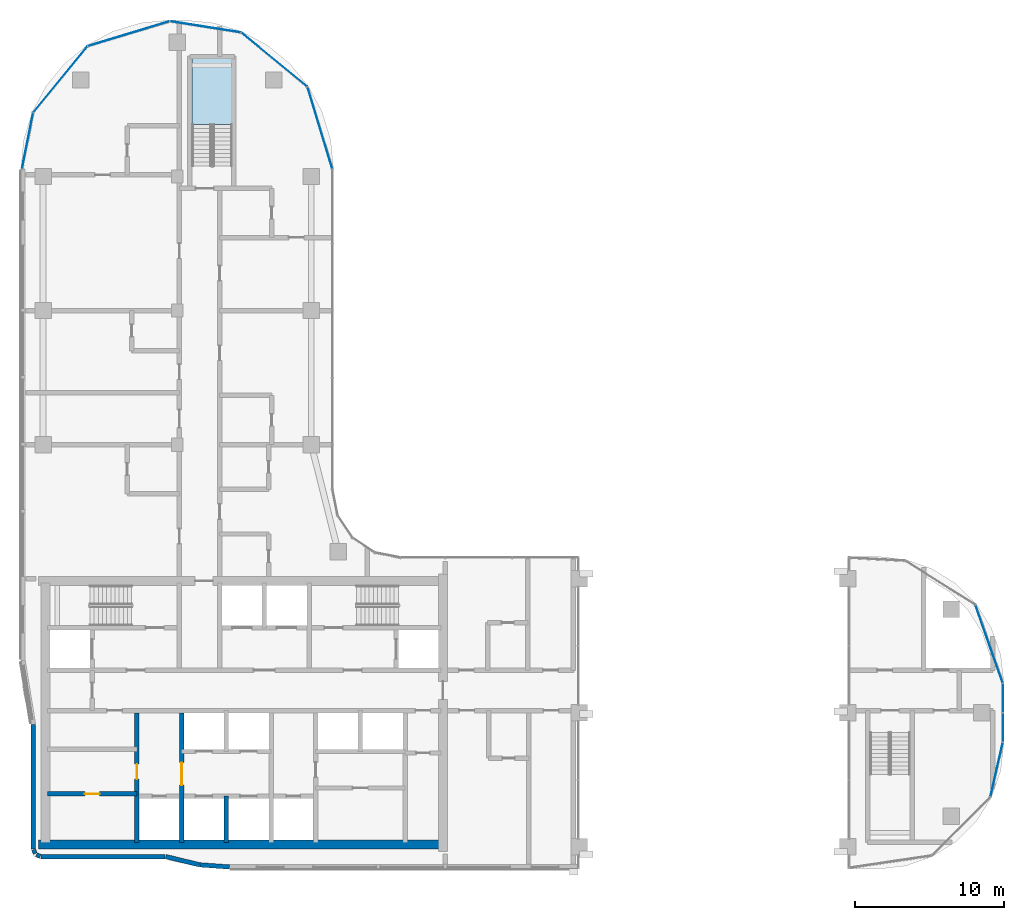
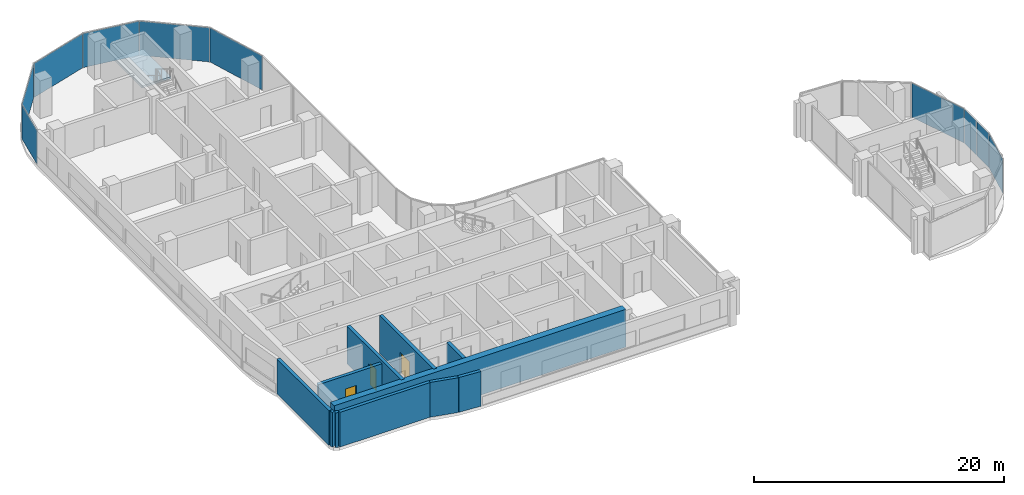
# One storey, part 9 of 23: 11 walls, 10 plates, 3 doors, 1 slab, 3 openings, 5 elements without a shape of their own.
"""IFC4 building model written with IfcOpenShell, lengths in metres."""

from ifc_helpers import new_model, si_unit, direction, frame, frame_2d, origin, origin_2d, place, context, subcontext, project, spatial, polyline, rectangle, outline, extrude, material, layer, layer_set, type_object, element, fill, aggregate, save


model = new_model("IFC4")

# Units and contexts
model_context = context("Model", 3, precision=1e-05, world=origin(), true_north=direction((0.0, 1.0)))
body_context = subcontext(model_context, "Body", "Model", "MODEL_VIEW")
ifc_project = project(units=[si_unit("LENGTHUNIT", "METRE"), si_unit("AREAUNIT", "SQUARE_METRE"), si_unit("VOLUMEUNIT", "CUBIC_METRE"), si_unit("PLANEANGLEUNIT", "RADIAN"), si_unit("MASSUNIT", "GRAM", prefix="KILO")], contexts=[model_context])

# Site, building, storey
site_placement = place(None, origin())
site = spatial("IfcSite", under=ifc_project, at=site_placement, CompositionType="ELEMENT")
building_placement = place(site_placement, origin())
building = spatial("IfcBuilding", under=site, at=building_placement, Name="Ogive Portal Towers", CompositionType="ELEMENT")
storey_placement = place(building_placement, frame((0.0, 0.0, 149.60009765625)))
storey = spatial("IfcBuildingStorey", under=building, at=storey_placement, Name="L36", CompositionType="ELEMENT", Elevation=149.60009765625)

# Curtain wall, plates
ifc_material_1 = material(Name="Glass, clear low-iron insulated glazing", Category="glass")
curtain_wall_type = type_object("IfcCurtainWallType", Name="CW FRONT RIBBON 4500", PredefinedType="NOTDEFINED", material=ifc_material_1)
curtain_wall_1_placement = place(storey_placement, origin())
curtain_wall_1 = element("IfcCurtainWall", 1, at=curtain_wall_1_placement, inside=storey, type_object=curtain_wall_type, Name="A:L36:f26:cw0", PredefinedType="NOTDEFINED")
ifc_layer_1 = layer(ifc_material_1, 0.028076171875)
ifc_layer_set_1 = layer_set([ifc_layer_1], Name="CW PANEL IGU 28")
plate_type = type_object("IfcPlateType", Name="CW PANEL IGU 28", PredefinedType="CURTAIN_PANEL", material=ifc_layer_set_1)
plate_1_placement = place(storey_placement, frame((95.919921875, 29.50439453125, 0.0), z_axis=(0.0, 0.0, 1.0), x_axis=(0.0, 1.0, 0.0)))
plate_1 = element("IfcPlate", 2, at=plate_1_placement, type_object=plate_type, Name="panel", PredefinedType="CURTAIN_PANEL", context=body_context, shape_type="SweptSolid", body=[
    extrude(rectangle(XDim=1.930908203125, YDim=0.028076171875, at=origin_2d()), origin(), (0.0, 0.0, 1.0), 3.340087890625),
])
plate_2_placement = place(storey_placement, frame((95.919921875, 31.4931640625, 0.0), z_axis=(0.0, 0.0, 1.0), x_axis=(0.0, 1.0, 0.0)))
plate_2 = element("IfcPlate", 3, at=plate_2_placement, type_object=plate_type, Name="panel", PredefinedType="CURTAIN_PANEL", context=body_context, shape_type="SweptSolid", body=[
    extrude(rectangle(XDim=1.926513671875, YDim=0.028076171875, at=origin_2d()), origin(), (0.0, 0.0, 1.0), 3.340087890625),
])
aggregate(curtain_wall_1, [plate_1, plate_2])

curtain_wall_2_placement = place(storey_placement, origin())
curtain_wall_2 = element("IfcCurtainWall", 4, at=curtain_wall_2_placement, inside=storey, type_object=curtain_wall_type, Name="A:L36:f14:cwa", PredefinedType="NOTDEFINED")
plate_3_placement = place(storey_placement, frame((50.08251953125, 69.748779296875, 0.0), z_axis=(0.0, 0.0, 1.0), x_axis=(-0.290284677254, 0.956940335732, 0.0)))
plate_3 = element("IfcPlate", 5, at=plate_3_placement, type_object=plate_type, Name="panel", PredefinedType="CURTAIN_PANEL", context=body_context, shape_type="SweptSolid", body=[
    extrude(rectangle(XDim=5.70947265625, YDim=0.028076171875, at=origin_2d()), origin(), (0.0, 0.0, 1.0), 3.340087890625),
])
plate_4_placement = place(storey_placement, frame((47.01904296875, 74.336181640625, 0.0), z_axis=(0.0, 0.0, 1.0), x_axis=(-0.773010453363, 0.634393284164, 0.0)))
plate_4 = element("IfcPlate", 6, at=plate_4_placement, type_object=plate_type, Name="panel", PredefinedType="CURTAIN_PANEL", context=body_context, shape_type="SweptSolid", body=[
    extrude(rectangle(XDim=5.69970703125, YDim=0.028076171875, at=origin_2d()), origin(), (0.0, 0.0, 1.0), 3.340087890625),
])
plate_5_placement = place(storey_placement, frame((42.399169921875, 76.54052734375, 0.0), z_axis=(0.0, 0.0, 1.0), x_axis=(-0.987792174992, 0.155777466355, 0.0)))
plate_5 = element("IfcPlate", 7, at=plate_5_placement, type_object=plate_type, Name="panel", PredefinedType="CURTAIN_PANEL", context=body_context, shape_type="SweptSolid", body=[
    extrude(rectangle(XDim=4.786376953125, YDim=0.028076171875, at=origin_2d()), origin(), (0.0, 0.0, 1.0), 3.340087890625),
])
plate_6_placement = place(storey_placement, frame((37.248291015625, 76.08154296875, 0.0), z_axis=(0.0, 0.0, 1.0), x_axis=(-0.956940335732, -0.290284677254, 0.0)))
plate_6 = element("IfcPlate", 8, at=plate_6_placement, type_object=plate_type, Name="panel", PredefinedType="CURTAIN_PANEL", context=body_context, shape_type="SweptSolid", body=[
    extrude(rectangle(XDim=5.703125, YDim=0.028076171875, at=origin_2d()), origin(), (0.0, 0.0, 1.0), 3.340087890625),
])
plate_7_placement = place(storey_placement, frame((32.663330078125, 73.018310546875, 0.0), z_axis=(0.0, 0.0, 1.0), x_axis=(-0.634393284164, -0.773010453363, 0.0)))
plate_7 = element("IfcPlate", 9, at=plate_7_placement, type_object=plate_type, Name="panel", PredefinedType="CURTAIN_PANEL", context=body_context, shape_type="SweptSolid", body=[
    extrude(rectangle(XDim=5.701416015625, YDim=0.028076171875, at=origin_2d()), origin(), (0.0, 0.0, 1.0), 3.340087890625),
])
plate_8_placement = place(storey_placement, frame((30.457763671875, 68.891845703125, 0.0), z_axis=(0.0, 0.0, 1.0), x_axis=(-0.195090322016, -0.980785280403, 0.0)))
plate_8 = element("IfcPlate", 10, at=plate_8_placement, type_object=plate_type, Name="panel", PredefinedType="CURTAIN_PANEL", context=body_context, shape_type="SweptSolid", body=[
    extrude(rectangle(XDim=3.81396484375, YDim=0.028076171875, at=origin_2d()), origin(), (0.0, 0.0, 1.0), 3.340087890625),
])
aggregate(curtain_wall_2, [plate_3, plate_4, plate_5, plate_6, plate_7, plate_8])

# Curtain wall, plate
curtain_wall_3_placement = place(storey_placement, origin())
curtain_wall_3 = element("IfcCurtainWall", 11, at=curtain_wall_3_placement, inside=storey, type_object=curtain_wall_type, Name="A:L36:f23:cwa", PredefinedType="NOTDEFINED")
plate_9_placement = place(storey_placement, frame((95.502685546875, 26.6806640625, 0.0), z_axis=(0.0, 0.0, 1.0), x_axis=(0.222520933954, 0.974927912182, 0.0)))
plate_9 = element("IfcPlate", 12, at=plate_9_placement, type_object=plate_type, Name="panel", PredefinedType="CURTAIN_PANEL", context=body_context, shape_type="SweptSolid", body=[
    extrude(rectangle(XDim=3.690673828125, YDim=0.028076171875, at=origin_2d()), origin(), (0.0, 0.0, 1.0), 3.340087890625),
])
aggregate(curtain_wall_3, [plate_9])

curtain_wall_4_placement = place(storey_placement, origin())
curtain_wall_4 = element("IfcCurtainWall", 13, at=curtain_wall_4_placement, inside=storey, type_object=curtain_wall_type, Name="A:L36:f27:cwa", PredefinedType="NOTDEFINED")
plate_10_placement = place(storey_placement, frame((94.999755859375, 35.11669921875, 0.0), z_axis=(0.0, 0.0, 1.0), x_axis=(-0.33027906196, 0.943883330307, 0.0)))
plate_10 = element("IfcPlate", 14, at=plate_10_placement, type_object=plate_type, Name="panel", PredefinedType="CURTAIN_PANEL", context=body_context, shape_type="SweptSolid", body=[
    extrude(rectangle(XDim=5.51318359375, YDim=0.028076171875, at=origin_2d()), origin(), (0.0, 0.0, 1.0), 3.340087890625),
])
aggregate(curtain_wall_4, [plate_10])

# Stair, slab
ifc_material_2 = material(Name="Concrete C40/50", Category="concrete")
stair_type = type_object("IfcStairType", Name="INT-STAIR", PredefinedType="HALF_TURN_STAIR", material=ifc_material_2)
stair_placement = place(storey_placement, origin())
stair = element("IfcStair", 15, at=stair_placement, inside=storey, type_object=stair_type, Name="L36 Exit Stair ST-A3", PredefinedType="HALF_TURN_STAIR")
ifc_layer_2 = layer(ifc_material_2, 0.199951171875)
ifc_layer_set_2 = layer_set([ifc_layer_2], Name="INT-LANDING")
slab_type = type_object("IfcSlabType", Name="INT-LANDING", PredefinedType="LANDING", material=ifc_layer_set_2)
slab_placement = place(storey_placement, frame((0.0, 0.0, 1.64990234375)))
slab = element("IfcSlab", 16, at=slab_placement, type_object=slab_type, Name="ST-A3 landing 1", PredefinedType="LANDING", context=body_context, shape_type="SweptSolid", body=[
    extrude(outline(polyline([(44.199951171875, 70.0), (44.199951171875, 74.449951171875), (41.5, 74.449951171875), (41.5, 70.0), (44.199951171875, 70.0)])), origin(), (0.0, 0.0, 1.0), 0.199951171875),
])
aggregate(stair, [slab])

# Wall, opening, door
ifc_material_3 = material(Name="Concrete C60/75", Category="concrete")
ifc_layer_3 = layer(ifc_material_3, 0.300048828125)
ifc_layer_set_3 = layer_set([ifc_layer_3], Name="CORE WALL 300 C60")
wall_type_1 = type_object("IfcWallType", Name="CORE WALL 300 C60", PredefinedType="SHEAR", material=ifc_layer_set_3)
wall_1_placement = place(storey_placement, frame((37.800048828125, 21.800048828125, 0.0), z_axis=(0.0, 0.0, 1.0), x_axis=(0.0, 1.0, 0.0)))
wall_1 = element("IfcWall", 17, at=wall_1_placement, inside=storey, type_object=wall_type_1, Name="Core wall X1 L36", PredefinedType="SHEAR", context=body_context, shape_type="SweptSolid", body=[
    extrude(rectangle(XDim=8.699951171875, YDim=0.300048828125, at=frame_2d((4.35009765625, 0.0))), origin(), (0.0, 0.0, 1.0), 3.699951171875),
])
opening_1_placement = place(wall_1_placement, frame((4.25, 0.0, 0.0)))
opening_1 = element("IfcOpeningElement", 18, at=opening_1_placement, cuts=wall_1, Name="Opening D14-022", PredefinedType="OPENING", context=body_context, shape_type="SweptSolid", body=[
    extrude(rectangle(XDim=1.0, YDim=2.10009765625, at=frame_2d((0.5, 1.050048828125))), frame((0.0, 0.16015625, 0.0), z_axis=(0.0, -1.0, 0.0), x_axis=(1.0, 0.0, 0.0)), (0.0, 0.0, 1.0), 0.320068359375),
])
ifc_material_4 = material(Name="Steel fire door", Category="steel")
door_type_1 = type_object("IfcDoorType", Name="DT-SWING-1000x2100-FD90S", OperationType="SINGLE_SWING_LEFT", PredefinedType="DOOR", material=ifc_material_4)
door_1_placement = place(opening_1_placement, origin())
door_1 = element("IfcDoor", 19, at=door_1_placement, inside=storey, type_object=door_type_1, Name="Door D14-022", OperationType="SINGLE_SWING_RIGHT", OverallHeight=2.10009765625, OverallWidth=1.0, PredefinedType="DOOR", context=body_context, shape_type="SweptSolid", body=[
    extrude(rectangle(XDim=1.0, YDim=2.10009765625, at=frame_2d((0.5, 1.050048828125))), frame((0.0, 0.02490234375, 0.0), z_axis=(0.0, -1.0, 0.0), x_axis=(1.0, 0.0, 0.0)), (0.0, 0.0, 1.0), 0.050048828125),
])
fill(opening_1, door_1)

wall_2_placement = place(storey_placement, frame((40.800048828125, 21.800048828125, 0.0), z_axis=(0.0, 0.0, 1.0), x_axis=(0.0, 1.0, 0.0)))
wall_2 = element("IfcWall", 20, at=wall_2_placement, inside=storey, type_object=wall_type_1, Name="Core wall X2 L36", PredefinedType="SHEAR", context=body_context, shape_type="SweptSolid", body=[
    extrude(rectangle(XDim=8.699951171875, YDim=0.300048828125, at=frame_2d((4.35009765625, 0.0))), origin(), (0.0, 0.0, 1.0), 3.699951171875),
])
opening_2_placement = place(wall_2_placement, frame((3.85009765625, 0.0, 0.0)))
opening_2 = element("IfcOpeningElement", 21, at=opening_2_placement, cuts=wall_2, Name="Opening D14-001", PredefinedType="OPENING", context=body_context, shape_type="SweptSolid", body=[
    extrude(rectangle(XDim=1.5, YDim=2.10009765625, at=frame_2d((0.75, 1.050048828125))), frame((0.0, 0.16015625, 0.0), z_axis=(0.0, -1.0, 0.0), x_axis=(1.0, 0.0, 0.0)), (0.0, 0.0, 1.0), 0.320068359375),
])
door_type_2 = type_object("IfcDoorType", Name="DT-SWING-1500x2100-FD90S", OperationType="SINGLE_SWING_LEFT", PredefinedType="DOOR", material=ifc_material_4)
door_2_placement = place(opening_2_placement, origin())
door_2 = element("IfcDoor", 22, at=door_2_placement, inside=storey, type_object=door_type_2, Name="Door D14-001", OperationType="SINGLE_SWING_RIGHT", OverallHeight=2.10009765625, OverallWidth=1.5, PredefinedType="DOOR", context=body_context, shape_type="SweptSolid", body=[
    extrude(rectangle(XDim=1.5, YDim=2.10009765625, at=frame_2d((0.75, 1.050048828125))), frame((0.0, 0.02490234375, 0.0), z_axis=(0.0, -1.0, 0.0), x_axis=(1.0, 0.0, 0.0)), (0.0, 0.0, 1.0), 0.050048828125),
])
fill(opening_2, door_2)

# Walls
ifc_layer_4 = layer(ifc_material_3, 0.60009765625)
ifc_layer_set_4 = layer_set([ifc_layer_4], Name="CORE WALL 600 C60")
wall_type_2 = type_object("IfcWallType", Name="CORE WALL 600 C60", PredefinedType="SHEAR", material=ifc_layer_set_4)
wall_3_placement = place(storey_placement, frame((31.199951171875, 21.64990234375, 0.0), z_axis=(0.0, 0.0, 1.0), x_axis=(1.0, 0.0, 0.0)))
element("IfcWall", 23, at=wall_3_placement, inside=storey, type_object=wall_type_2, Name="Core wall S L36", PredefinedType="SHEAR", context=body_context, shape_type="SweptSolid", body=[
    extrude(rectangle(XDim=27.0, YDim=0.60009765625, at=frame_2d((13.5, 0.0))), origin(), (0.0, 0.0, 1.0), 3.699951171875),
])
ifc_material_5 = material(Name="Limestone cladding on lightweight block wall", Category="masonry")
ifc_layer_5 = layer(ifc_material_5, 0.300048828125)
ifc_layer_set_5 = layer_set([ifc_layer_5], Name="EXTERNAL WALL 300 STONE")
wall_type_3 = type_object("IfcWallType", Name="EXTERNAL WALL 300 STONE", PredefinedType="SOLIDWALL", material=ifc_layer_set_5)
wall_4_placement = place(storey_placement, frame((30.85009765625, 29.699462890625, 0.0), z_axis=(0.0, 0.0, 1.0), x_axis=(0.0, -1.0, 0.0)))
element("IfcWall", 24, at=wall_4_placement, inside=storey, type_object=wall_type_3, Name="A:L36:f00:r0:wall", PredefinedType="SOLIDWALL", context=body_context, shape_type="SweptSolid", body=[
    extrude(rectangle(XDim=8.33984375, YDim=0.300048828125, at=frame_2d((4.169921875, 0.0))), origin(), (0.0, 0.0, 1.0), 3.39990234375),
])
for number, where, z_axis, x_axis, name in (
    (25, (30.861328125, 21.30224609375, 0.0), (0.0, 0.0, 1.0), (0.38297812142, -0.923757413239, 0.0), "A:L36:f01:r0:wall"),
    (26, (31.0478515625, 20.966796875, 0.0), (0.0, 0.0, 1.0), (0.923757413239, -0.38297812142, 0.0), "A:L36:f02:r0:wall"),
):
    element("IfcWall", number, at=place(storey_placement, frame(where, z_axis=z_axis, x_axis=x_axis)), inside=storey, type_object=wall_type_3, Name=name, PredefinedType="SOLIDWALL", context=body_context, shape_type="SweptSolid", body=[
        extrude(rectangle(XDim=0.275390625, YDim=0.300048828125, at=frame_2d((0.1376953125, 0.0))), origin(), (0.0, 0.0, 1.0), 3.39990234375),
    ])
wall_5_placement = place(storey_placement, frame((31.359619140625, 20.85009765625, 0.0), z_axis=(0.0, 0.0, 1.0), x_axis=(1.0, 0.0, 0.0)))
element("IfcWall", 27, at=wall_5_placement, inside=storey, type_object=wall_type_3, Name="A:L36:f03:r0:wall", PredefinedType="SOLIDWALL", context=body_context, shape_type="SweptSolid", body=[
    extrude(rectangle(XDim=8.33984375, YDim=0.300048828125, at=frame_2d((4.169921875, 0.0))), origin(), (0.0, 0.0, 1.0), 3.39990234375),
])
wall_6_placement = place(storey_placement, frame((39.734619140625, 20.845703125, 0.0), z_axis=(0.0, 0.0, 1.0), x_axis=(0.97206095595, -0.234728562212, 0.0)))
element("IfcWall", 28, at=wall_6_placement, inside=storey, type_object=wall_type_3, Name="A:L36:f04:r0:wall", PredefinedType="SOLIDWALL", context=body_context, shape_type="SweptSolid", body=[
    extrude(rectangle(XDim=2.349609375, YDim=0.300048828125, at=frame_2d((1.1748046875, 0.0))), origin(), (0.0, 0.0, 1.0), 3.39990234375),
])
wall_7_placement = place(storey_placement, frame((42.043212890625, 20.290283203125, 0.0), z_axis=(0.0, 0.0, 1.0), x_axis=(0.997454275884, -0.071308958214, 0.0)))
element("IfcWall", 29, at=wall_7_placement, inside=storey, type_object=wall_type_3, Name="A:L36:f05:r0:wall", PredefinedType="SOLIDWALL", context=body_context, shape_type="SweptSolid", body=[
    extrude(rectangle(XDim=1.961669921875, YDim=0.300048828125, at=frame_2d((0.98095703125, 0.0))), origin(), (0.0, 0.0, 1.0), 3.39990234375),
])

# Wall, opening, door
ifc_material_6 = material(Name="Gypsum board partition on steel studs", Category="steel")
ifc_layer_6 = layer(ifc_material_6, 0.300048828125)
ifc_layer_set_6 = layer_set([ifc_layer_6], Name="WT-PART-300")
wall_type_4 = type_object("IfcWallType", Name="WT-PART-300", PredefinedType="PARTITIONING", material=ifc_layer_set_6)
wall_8_placement = place(storey_placement, frame((31.800048828125, 25.050048828125, 0.0), z_axis=(0.0, 0.0, 1.0), x_axis=(1.0, 0.0, 0.0)))
wall_8 = element("IfcWall", 30, at=wall_8_placement, inside=storey, type_object=wall_type_4, Name="Wall pw:002:L36", PredefinedType="PARTITIONING", context=body_context, shape_type="SweptSolid", body=[
    extrude(rectangle(XDim=6.0, YDim=0.300048828125, at=frame_2d((3.0, 0.0))), origin(), (0.0, 0.0, 1.0), 3.39990234375),
])
opening_3_placement = place(wall_8_placement, frame((2.5, 0.0, 0.0)))
opening_3 = element("IfcOpeningElement", 31, at=opening_3_placement, cuts=wall_8, Name="Opening D14-023", PredefinedType="OPENING", context=body_context, shape_type="SweptSolid", body=[
    extrude(rectangle(XDim=1.0, YDim=2.10009765625, at=frame_2d((0.5, 1.050048828125))), frame((0.0, 0.16015625, 0.0), z_axis=(0.0, -1.0, 0.0), x_axis=(1.0, 0.0, 0.0)), (0.0, 0.0, 1.0), 0.320068359375),
])
door_type_3 = type_object("IfcDoorType", Name="DT-SWING-1000x2100-FD60S", OperationType="SINGLE_SWING_LEFT", PredefinedType="DOOR", material=ifc_material_4)
door_3_placement = place(opening_3_placement, origin())
door_3 = element("IfcDoor", 32, at=door_3_placement, inside=storey, type_object=door_type_3, Name="Door D14-023", OperationType="SINGLE_SWING_RIGHT", OverallHeight=2.10009765625, OverallWidth=1.0, PredefinedType="DOOR", context=body_context, shape_type="SweptSolid", body=[
    extrude(rectangle(XDim=1.0, YDim=2.10009765625, at=frame_2d((0.5, 1.050048828125))), frame((0.0, 0.02490234375, 0.0), z_axis=(0.0, -1.0, 0.0), x_axis=(1.0, 0.0, 0.0)), (0.0, 0.0, 1.0), 0.050048828125),
])
fill(opening_3, door_3)

# Wall
ifc_layer_7 = layer(ifc_material_2, 0.300048828125)
ifc_layer_set_7 = layer_set([ifc_layer_7], Name="WT-SHAFT-300")
wall_type_5 = type_object("IfcWallType", Name="WT-SHAFT-300", PredefinedType="SOLIDWALL", material=ifc_layer_set_7)
wall_9_placement = place(storey_placement, frame((43.800048828125, 21.800048828125, 0.0), z_axis=(0.0, 0.0, 1.0), x_axis=(0.0, 1.0, 0.0)))
element("IfcWall", 33, at=wall_9_placement, inside=storey, type_object=wall_type_5, Name="Wall pw:009:L36", PredefinedType="SOLIDWALL", context=body_context, shape_type="SweptSolid", body=[
    extrude(rectangle(XDim=3.099853515625, YDim=0.300048828125, at=frame_2d((1.5498046875, 0.0))), origin(), (0.0, 0.0, 1.0), 3.39990234375),
])

save(model, "model.ifc")
